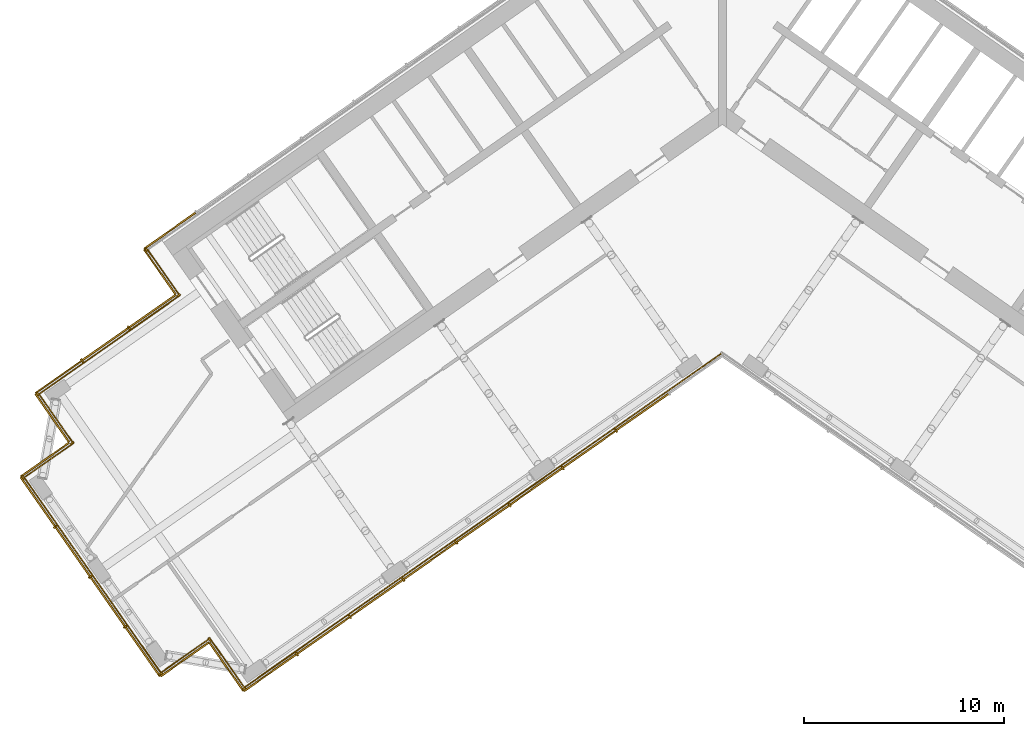
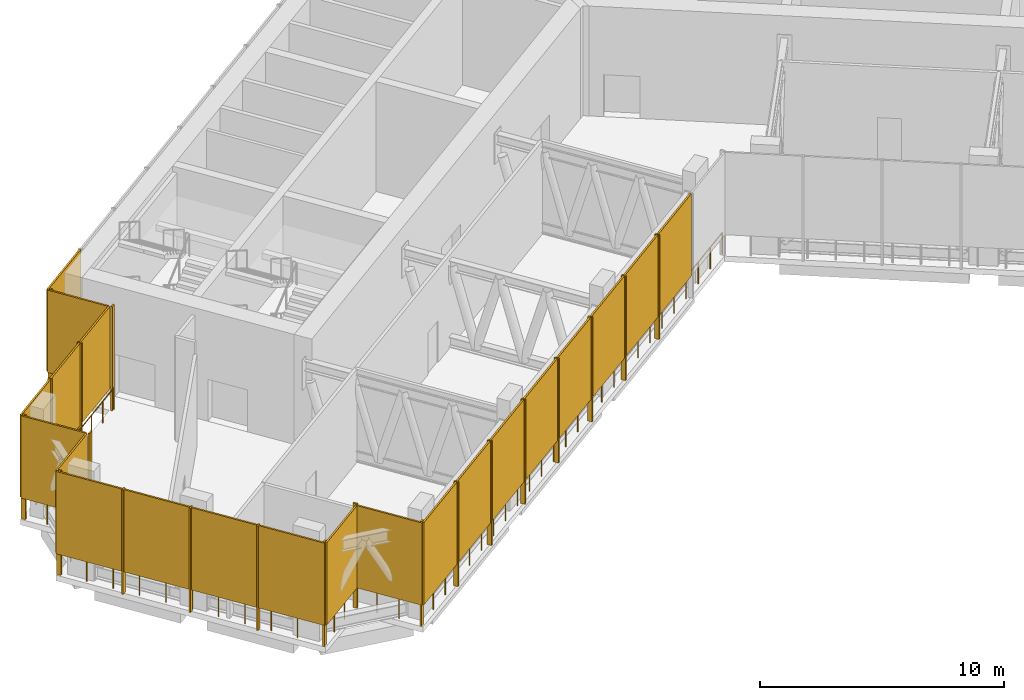
# One storey, part 13 of 19: 41 shading devices, 8 railings.
"""IFC4 building model written with IfcOpenShell, lengths in metres."""

from ifc_helpers import new_model, si_unit, direction, frame, origin, origin_2d, place, context, subcontext, project, spatial, rectangle, circle, extrude, material, layer, layer_set, type_object, element, save


model = new_model("IFC4")

# Units and contexts
model_context = context("Model", 3, precision=1e-05, world=origin(), true_north=direction((0.0, 1.0)))
body_context = subcontext(model_context, "Body", "Model", "MODEL_VIEW")
ifc_project = project(units=[si_unit("LENGTHUNIT", "METRE"), si_unit("AREAUNIT", "SQUARE_METRE"), si_unit("VOLUMEUNIT", "CUBIC_METRE"), si_unit("PLANEANGLEUNIT", "RADIAN"), si_unit("MASSUNIT", "GRAM", prefix="KILO")], contexts=[model_context])

# Site, building, storey
site_placement = place(None, origin())
site = spatial("IfcSite", under=ifc_project, at=site_placement, CompositionType="ELEMENT")
building_placement = place(site_placement, origin())
building = spatial("IfcBuilding", under=site, at=building_placement, Name="Tel Ilan Convention Tower", CompositionType="ELEMENT")
storey_placement = place(building_placement, frame((0.0, 0.0, 213.89990234375)))
storey = spatial("IfcBuildingStorey", under=building, at=storey_placement, Name="L50", CompositionType="ELEMENT", Elevation=213.89990234375)

# Shading devices
ifc_material_1 = material(Name="Perforated aluminium sheet, bronze anodised", Category="aluminium")
ifc_layer_1 = layer(ifc_material_1, 0.080078125)
ifc_layer_set_1 = layer_set([ifc_layer_1], Name="PERFORATED SCREEN 80")
shading_device_type_1 = type_object("IfcShadingDeviceType", Name="PERFORATED SCREEN 80", PredefinedType="USERDEFINED", material=ifc_layer_set_1)
for number, where, z_axis, x_axis, name in (
    (1, (-22.62744140625, -28.662109375, 1.10009765625), (0.0, 0.0, 1.0), (0.819152044289, 0.573576436351, 0.0), "SCREEN"),
    (2, (-19.96533203125, -26.798095703125, 1.10009765625), (0.0, 0.0, 1.0), (0.819152044289, 0.573576436351, 0.0), "SCREEN"),
    (3, (-17.30322265625, -24.93408203125, 1.10009765625), (0.0, 0.0, 1.0), (0.819152044289, 0.573576436351, 0.0), "SCREEN"),
    (4, (-14.641357421875, -23.070068359375, 1.10009765625), (0.0, 0.0, 1.0), (0.819152044289, 0.573576436351, 0.0), "SCREEN"),
    (5, (-11.979248046875, -21.2060546875, 1.10009765625), (0.0, 0.0, 1.0), (0.819152044289, 0.573576436351, 0.0), "SCREEN"),
    (6, (-9.317138671875, -19.342041015625, 1.10009765625), (0.0, 0.0, 1.0), (0.819152044289, 0.573576436351, 0.0), "SCREEN"),
    (7, (-6.655029296875, -17.47802734375, 1.10009765625), (0.0, 0.0, 1.0), (0.819152044289, 0.573576436351, 0.0), "SCREEN"),
    (8, (-3.9931640625, -15.614013671875, 1.10009765625), (0.0, 0.0, 1.0), (0.819152044289, 0.573576436351, 0.0), "SCREEN"),
):
    element("IfcShadingDevice", number, at=place(storey_placement, frame(where, z_axis=z_axis, x_axis=x_axis)), inside=storey, type_object=shading_device_type_1, Name=name, ObjectType="SCREEN", PredefinedType="USERDEFINED", context=body_context, shape_type="SweptSolid", body=[
        extrude(rectangle(XDim=3.189697265625, YDim=0.080078125, at=origin_2d()), origin(), (0.0, 0.0, 1.0), 4.1201171875),
    ])
shading_device_1_placement = place(storey_placement, frame((-27.642578125, -6.537353515625, 1.10009765625), z_axis=(0.0, 0.0, 1.0), x_axis=(-0.819152044289, -0.573576436351, 0.0)))
element("IfcShadingDevice", 9, at=shading_device_1_placement, inside=storey, type_object=shading_device_type_1, Name="SCREEN", ObjectType="SCREEN", PredefinedType="USERDEFINED", context=body_context, shape_type="SweptSolid", body=[
    extrude(rectangle(XDim=3.15380859375, YDim=0.080078125, at=origin_2d()), origin(), (0.0, 0.0, 1.0), 4.1201171875),
])
shading_device_2_placement = place(storey_placement, frame((-28.15576171875, -8.60595703125, 1.10009765625), z_axis=(0.0, 0.0, 1.0), x_axis=(0.573576436351, -0.819152044289, 0.0)))
element("IfcShadingDevice", 10, at=shading_device_2_placement, inside=storey, type_object=shading_device_type_1, Name="SCREEN", ObjectType="SCREEN", PredefinedType="USERDEFINED", context=body_context, shape_type="SweptSolid", body=[
    extrude(rectangle(XDim=2.739990234375, YDim=0.080078125, at=origin_2d()), origin(), (0.0, 0.0, 1.0), 4.1201171875),
])
for number, where, z_axis, x_axis, name in (
    (11, (-28.52685546875, -10.57470703125, 1.10009765625), (0.0, 0.0, 1.0), (-0.819152044289, -0.573576436351, 0.0), "SCREEN"),
    (12, (-30.875244140625, -12.218994140625, 1.10009765625), (0.0, 0.0, 1.0), (-0.819152044289, -0.573576436351, 0.0), "SCREEN"),
    (13, (-33.223388671875, -13.86328125, 1.10009765625), (0.0, 0.0, 1.0), (-0.819152044289, -0.573576436351, 0.0), "SCREEN"),
):
    element("IfcShadingDevice", number, at=place(storey_placement, frame(where, z_axis=z_axis, x_axis=x_axis)), inside=storey, type_object=shading_device_type_1, Name=name, ObjectType="SCREEN", PredefinedType="USERDEFINED", context=body_context, shape_type="SweptSolid", body=[
        extrude(rectangle(XDim=2.806640625, YDim=0.080078125, at=origin_2d()), origin(), (0.0, 0.0, 1.0), 4.1201171875),
    ])
for number, where, z_axis, x_axis, name in (
    (14, (-33.537109375, -15.9140625, 1.10009765625), (0.0, 0.0, 1.0), (0.573576436351, -0.819152044289, 0.0), "SCREEN"),
    (15, (-33.905517578125, -18.003173828125, 1.10009765625), (0.0, 0.0, 1.0), (-0.819152044289, -0.573576436351, 0.0), "SCREEN"),
):
    element("IfcShadingDevice", number, at=place(storey_placement, frame(where, z_axis=z_axis, x_axis=x_axis)), inside=storey, type_object=shading_device_type_1, Name=name, ObjectType="SCREEN", PredefinedType="USERDEFINED", context=body_context, shape_type="SweptSolid", body=[
        extrude(rectangle(XDim=2.93994140625, YDim=0.080078125, at=origin_2d()), origin(), (0.0, 0.0, 1.0), 4.1201171875),
    ])
for number, where, z_axis, x_axis, name in (
    (16, (-34.259521484375, -20.11279296875, 1.10009765625), (0.0, 0.0, 1.0), (0.573576436351, -0.819152044289, 0.0), "SCREEN"),
    (17, (-32.510009765625, -22.611328125, 1.10009765625), (0.0, 0.0, 1.0), (0.573576436351, -0.819152044289, 0.0), "SCREEN"),
    (18, (-30.7607421875, -25.109619140625, 1.10009765625), (0.0, 0.0, 1.0), (0.573576436351, -0.819152044289, 0.0), "SCREEN"),
    (19, (-29.01123046875, -27.608154296875, 1.10009765625), (0.0, 0.0, 1.0), (0.573576436351, -0.819152044289, 0.0), "SCREEN"),
):
    element("IfcShadingDevice", number, at=place(storey_placement, frame(where, z_axis=z_axis, x_axis=x_axis)), inside=storey, type_object=shading_device_type_1, Name=name, ObjectType="SCREEN", PredefinedType="USERDEFINED", context=body_context, shape_type="SweptSolid", body=[
        extrude(rectangle(XDim=2.989990234375, YDim=0.080078125, at=origin_2d()), origin(), (0.0, 0.0, 1.0), 4.1201171875),
    ])
for number, where, z_axis, x_axis, name in (
    (20, (-26.907958984375, -27.996826171875, 1.10009765625), (0.0, 0.0, 1.0), (0.819152044289, 0.573576436351, 0.0), "SCREEN"),
    (21, (-24.81884765625, -28.365234375, 1.10009765625), (0.0, 0.0, 1.0), (0.573576436351, -0.819152044289, 0.0), "SCREEN"),
):
    element("IfcShadingDevice", number, at=place(storey_placement, frame(where, z_axis=z_axis, x_axis=x_axis)), inside=storey, type_object=shading_device_type_1, Name=name, ObjectType="SCREEN", PredefinedType="USERDEFINED", context=body_context, shape_type="SweptSolid", body=[
        extrude(rectangle(XDim=2.93994140625, YDim=0.080078125, at=origin_2d()), origin(), (0.0, 0.0, 1.0), 4.1201171875),
    ])

# Railings
ifc_material_2 = material(Name="Stainless steel S316", Category="steel")
railing_type = type_object("IfcRailingType", Name="REFUGE EDGE GUARD 1100", PredefinedType="GUARDRAIL", material=ifc_material_2)
railing_1_placement = place(storey_placement, frame((-23.924072265625, -29.39892578125, 0.0)))
element("IfcRailing", 22, at=railing_1_placement, inside=storey, type_object=railing_type, Name="Refuge edge guard 39.R01", PredefinedType="GUARDRAIL", context=body_context, shape_type="SweptSolid", body=[
    extrude(circle(Radius=0.02490234375, at=origin_2d()), frame((0.0, 0.0, 1.0751953125), z_axis=(-0.573598887793, 0.819136323161, 0.0), x_axis=(-0.819136323161, -0.573598887793, 0.0)), (0.0, 0.0, 1.0), 2.999755859375),
    extrude(circle(Radius=0.02490234375, at=origin_2d()), origin(), (0.0, 0.0, 1.0), 1.050048828125),
    extrude(circle(Radius=0.02490234375, at=origin_2d()), frame((-0.573486328125, 0.819091796875, 0.0)), (0.0, 0.0, 1.0), 1.050048828125),
    extrude(circle(Radius=0.02490234375, at=origin_2d()), frame((-1.147216796875, 1.63818359375, 0.0)), (0.0, 0.0, 1.0), 1.050048828125),
    extrude(circle(Radius=0.02490234375, at=origin_2d()), frame((-1.720703125, 2.457275390625, 0.0)), (0.0, 0.0, 1.0), 1.050048828125),
])
railing_2_placement = place(storey_placement, frame((-25.644775390625, -26.941650390625, 0.0)))
element("IfcRailing", 23, at=railing_2_placement, inside=storey, type_object=railing_type, Name="Refuge edge guard 39.R02", PredefinedType="GUARDRAIL", context=body_context, shape_type="SweptSolid", body=[
    extrude(circle(Radius=0.02490234375, at=origin_2d()), frame((0.0, 0.0, 1.0751953125), z_axis=(-0.819163097304, -0.573560650686, 0.0), x_axis=(0.573560650686, -0.819163097304, 0.0)), (0.0, 0.0, 1.0), 3.0),
    extrude(circle(Radius=0.02490234375, at=origin_2d()), origin(), (0.0, 0.0, 1.0), 1.050048828125),
    extrude(circle(Radius=0.02490234375, at=origin_2d()), frame((-0.819091796875, -0.573486328125, 0.0)), (0.0, 0.0, 1.0), 1.050048828125),
    extrude(circle(Radius=0.02490234375, at=origin_2d()), frame((-1.638427734375, -1.147216796875, 0.0)), (0.0, 0.0, 1.0), 1.050048828125),
    extrude(circle(Radius=0.02490234375, at=origin_2d()), frame((-2.45751953125, -1.720703125, 0.0)), (0.0, 0.0, 1.0), 1.050048828125),
])
railing_3_placement = place(storey_placement, frame((-28.102294921875, -28.662353515625, 0.0)))
element("IfcRailing", 24, at=railing_3_placement, inside=storey, type_object=railing_type, Name="Refuge edge guard 39.R03", PredefinedType="GUARDRAIL", context=body_context, shape_type="SweptSolid", body=[
    extrude(circle(Radius=0.02490234375, at=origin_2d()), frame((0.0, 0.0, 1.0751953125), z_axis=(-0.573565434892, 0.819159747483, 0.0), x_axis=(-0.819159747483, -0.573565434892, 0.0)), (0.0, 0.0, 1.0), 11.919921875),
    extrude(circle(Radius=0.02490234375, at=origin_2d()), origin(), (0.0, 0.0, 1.0), 1.050048828125),
    extrude(circle(Radius=0.02490234375, at=origin_2d()), frame((-0.68359375, 0.9765625, 0.0)), (0.0, 0.0, 1.0), 1.050048828125),
    extrude(circle(Radius=0.02490234375, at=origin_2d()), frame((-1.367431640625, 1.952880859375, 0.0)), (0.0, 0.0, 1.0), 1.050048828125),
    extrude(circle(Radius=0.02490234375, at=origin_2d()), frame((-2.051025390625, 2.92919921875, 0.0)), (0.0, 0.0, 1.0), 1.050048828125),
    extrude(circle(Radius=0.02490234375, at=origin_2d()), frame((-2.73486328125, 3.90576171875, 0.0)), (0.0, 0.0, 1.0), 1.050048828125),
    extrude(circle(Radius=0.02490234375, at=origin_2d()), frame((-3.41845703125, 4.88232421875, 0.0)), (0.0, 0.0, 1.0), 1.050048828125),
    extrude(circle(Radius=0.02490234375, at=origin_2d()), frame((-4.10205078125, 5.858642578125, 0.0)), (0.0, 0.0, 1.0), 1.050048828125),
    extrude(circle(Radius=0.02490234375, at=origin_2d()), frame((-4.785888671875, 6.8349609375, 0.0)), (0.0, 0.0, 1.0), 1.050048828125),
    extrude(circle(Radius=0.02490234375, at=origin_2d()), frame((-5.469482421875, 7.8115234375, 0.0)), (0.0, 0.0, 1.0), 1.050048828125),
    extrude(circle(Radius=0.02490234375, at=origin_2d()), frame((-6.1533203125, 8.7880859375, 0.0)), (0.0, 0.0, 1.0), 1.050048828125),
    extrude(circle(Radius=0.02490234375, at=origin_2d()), frame((-6.8369140625, 9.764404296875, 0.0)), (0.0, 0.0, 1.0), 1.050048828125),
])
railing_4_placement = place(storey_placement, frame((-34.939208984375, -18.89794921875, 0.0)))
element("IfcRailing", 25, at=railing_4_placement, inside=storey, type_object=railing_type, Name="Refuge edge guard 39.R04", PredefinedType="GUARDRAIL", context=body_context, shape_type="SweptSolid", body=[
    extrude(circle(Radius=0.02490234375, at=origin_2d()), frame((0.0, 0.0, 1.0751953125), z_axis=(0.819163097304, 0.573560650686, 0.0), x_axis=(-0.573560650686, 0.819163097304, 0.0)), (0.0, 0.0, 1.0), 3.0),
    extrude(circle(Radius=0.02490234375, at=origin_2d()), origin(), (0.0, 0.0, 1.0), 1.050048828125),
    extrude(circle(Radius=0.02490234375, at=origin_2d()), frame((0.819091796875, 0.573486328125, 0.0)), (0.0, 0.0, 1.0), 1.050048828125),
    extrude(circle(Radius=0.02490234375, at=origin_2d()), frame((1.638427734375, 1.147216796875, 0.0)), (0.0, 0.0, 1.0), 1.050048828125),
    extrude(circle(Radius=0.02490234375, at=origin_2d()), frame((2.45751953125, 1.720703125, 0.0)), (0.0, 0.0, 1.0), 1.050048828125),
])
railing_5_placement = place(storey_placement, frame((-32.481689453125, -17.17724609375, 0.0)))
element("IfcRailing", 26, at=railing_5_placement, inside=storey, type_object=railing_type, Name="Refuge edge guard 39.R05", PredefinedType="GUARDRAIL", context=body_context, shape_type="SweptSolid", body=[
    extrude(circle(Radius=0.02490234375, at=origin_2d()), frame((0.0, 0.0, 1.0751953125), z_axis=(-0.573560650686, 0.819163097304, 0.0), x_axis=(-0.819163097304, -0.573560650686, 0.0)), (0.0, 0.0, 1.0), 3.0),
    extrude(circle(Radius=0.02490234375, at=origin_2d()), origin(), (0.0, 0.0, 1.0), 1.050048828125),
    extrude(circle(Radius=0.02490234375, at=origin_2d()), frame((-0.573486328125, 0.819091796875, 0.0)), (0.0, 0.0, 1.0), 1.050048828125),
    extrude(circle(Radius=0.02490234375, at=origin_2d()), frame((-1.147216796875, 1.638427734375, 0.0)), (0.0, 0.0, 1.0), 1.050048828125),
    extrude(circle(Radius=0.02490234375, at=origin_2d()), frame((-1.720703125, 2.45751953125, 0.0)), (0.0, 0.0, 1.0), 1.050048828125),
])
railing_6_placement = place(storey_placement, frame((-34.202392578125, -14.7197265625, 0.0)))
element("IfcRailing", 27, at=railing_6_placement, inside=storey, type_object=railing_type, Name="Refuge edge guard 39.R06", PredefinedType="GUARDRAIL", context=body_context, shape_type="SweptSolid", body=[
    extrude(circle(Radius=0.02490234375, at=origin_2d()), frame((0.0, 0.0, 1.0751953125), z_axis=(0.81915856023, 0.573567130511, 0.0), x_axis=(-0.573567130511, 0.81915856023, 0.0)), (0.0, 0.0, 1.0), 8.599853515625),
    extrude(circle(Radius=0.02490234375, at=origin_2d()), origin(), (0.0, 0.0, 1.0), 1.050048828125),
    extrude(circle(Radius=0.02490234375, at=origin_2d()), frame((0.880615234375, 0.61669921875, 0.0)), (0.0, 0.0, 1.0), 1.050048828125),
    extrude(circle(Radius=0.02490234375, at=origin_2d()), frame((1.76123046875, 1.233154296875, 0.0)), (0.0, 0.0, 1.0), 1.050048828125),
    extrude(circle(Radius=0.02490234375, at=origin_2d()), frame((2.641845703125, 1.849609375, 0.0)), (0.0, 0.0, 1.0), 1.050048828125),
    extrude(circle(Radius=0.02490234375, at=origin_2d()), frame((3.5224609375, 2.46630859375, 0.0)), (0.0, 0.0, 1.0), 1.050048828125),
    extrude(circle(Radius=0.02490234375, at=origin_2d()), frame((4.40283203125, 3.0830078125, 0.0)), (0.0, 0.0, 1.0), 1.050048828125),
    extrude(circle(Radius=0.02490234375, at=origin_2d()), frame((5.283447265625, 3.699462890625, 0.0)), (0.0, 0.0, 1.0), 1.050048828125),
    extrude(circle(Radius=0.02490234375, at=origin_2d()), frame((6.1640625, 4.31591796875, 0.0)), (0.0, 0.0, 1.0), 1.050048828125),
    extrude(circle(Radius=0.02490234375, at=origin_2d()), frame((7.044677734375, 4.9326171875, 0.0)), (0.0, 0.0, 1.0), 1.050048828125),
])
railing_7_placement = place(storey_placement, frame((-27.15771484375, -9.787109375, 0.0)))
element("IfcRailing", 28, at=railing_7_placement, inside=storey, type_object=railing_type, Name="Refuge edge guard 39.R07", PredefinedType="GUARDRAIL", context=body_context, shape_type="SweptSolid", body=[
    extrude(circle(Radius=0.02490234375, at=origin_2d()), frame((0.0, 0.0, 1.0751953125), z_axis=(-0.573608623498, 0.819129505664, 0.0), x_axis=(-0.819129505664, -0.573608623498, 0.0)), (0.0, 0.0, 1.0), 2.800048828125),
    extrude(circle(Radius=0.02490234375, at=origin_2d()), origin(), (0.0, 0.0, 1.0), 1.050048828125),
    extrude(circle(Radius=0.02490234375, at=origin_2d()), frame((-0.535400390625, 0.7646484375, 0.0)), (0.0, 0.0, 1.0), 1.050048828125),
    extrude(circle(Radius=0.02490234375, at=origin_2d()), frame((-1.07080078125, 1.529052734375, 0.0)), (0.0, 0.0, 1.0), 1.050048828125),
    extrude(circle(Radius=0.02490234375, at=origin_2d()), frame((-1.606201171875, 2.293701171875, 0.0)), (0.0, 0.0, 1.0), 1.050048828125),
])
railing_8_placement = place(storey_placement, frame((0.0, -12.647216796875, 0.0)))
element("IfcRailing", 29, at=railing_8_placement, inside=storey, type_object=railing_type, Name="Refuge edge guard 39.R18", PredefinedType="GUARDRAIL", context=body_context, shape_type="SweptSolid", body=[
    extrude(circle(Radius=0.02490234375, at=origin_2d()), frame((0.0, 0.0, 1.0751953125), z_axis=(-0.819153761788, -0.5735739835, 0.0), x_axis=(0.5735739835, -0.819153761788, 0.0)), (0.0, 0.0, 1.0), 29.205810546875),
    extrude(circle(Radius=0.02490234375, at=origin_2d()), origin(), (0.0, 0.0, 1.0), 1.050048828125),
    extrude(circle(Radius=0.02490234375, at=origin_2d()), frame((-0.95703125, -0.670166015625, 0.0)), (0.0, 0.0, 1.0), 1.050048828125),
    extrude(circle(Radius=0.02490234375, at=origin_2d()), frame((-1.913818359375, -1.340087890625, 0.0)), (0.0, 0.0, 1.0), 1.050048828125),
    extrude(circle(Radius=0.02490234375, at=origin_2d()), frame((-2.870849609375, -2.01025390625, 0.0)), (0.0, 0.0, 1.0), 1.050048828125),
    extrude(circle(Radius=0.02490234375, at=origin_2d()), frame((-3.827880859375, -2.68017578125, 0.0)), (0.0, 0.0, 1.0), 1.050048828125),
    extrude(circle(Radius=0.02490234375, at=origin_2d()), frame((-4.784912109375, -3.350341796875, 0.0)), (0.0, 0.0, 1.0), 1.050048828125),
    extrude(circle(Radius=0.02490234375, at=origin_2d()), frame((-5.74169921875, -4.0205078125, 0.0)), (0.0, 0.0, 1.0), 1.050048828125),
    extrude(circle(Radius=0.02490234375, at=origin_2d()), frame((-6.69873046875, -4.6904296875, 0.0)), (0.0, 0.0, 1.0), 1.050048828125),
    extrude(circle(Radius=0.02490234375, at=origin_2d()), frame((-7.65576171875, -5.360595703125, 0.0)), (0.0, 0.0, 1.0), 1.050048828125),
    extrude(circle(Radius=0.02490234375, at=origin_2d()), frame((-8.612548828125, -6.030517578125, 0.0)), (0.0, 0.0, 1.0), 1.050048828125),
    extrude(circle(Radius=0.02490234375, at=origin_2d()), frame((-9.569580078125, -6.70068359375, 0.0)), (0.0, 0.0, 1.0), 1.050048828125),
    extrude(circle(Radius=0.02490234375, at=origin_2d()), frame((-10.526611328125, -7.370849609375, 0.0)), (0.0, 0.0, 1.0), 1.050048828125),
    extrude(circle(Radius=0.02490234375, at=origin_2d()), frame((-11.483642578125, -8.040771484375, 0.0)), (0.0, 0.0, 1.0), 1.050048828125),
    extrude(circle(Radius=0.02490234375, at=origin_2d()), frame((-12.4404296875, -8.7109375, 0.0)), (0.0, 0.0, 1.0), 1.050048828125),
    extrude(circle(Radius=0.02490234375, at=origin_2d()), frame((-13.3974609375, -9.380859375, 0.0)), (0.0, 0.0, 1.0), 1.050048828125),
    extrude(circle(Radius=0.02490234375, at=origin_2d()), frame((-14.3544921875, -10.051025390625, 0.0)), (0.0, 0.0, 1.0), 1.050048828125),
    extrude(circle(Radius=0.02490234375, at=origin_2d()), frame((-15.3115234375, -10.72119140625, 0.0)), (0.0, 0.0, 1.0), 1.050048828125),
    extrude(circle(Radius=0.02490234375, at=origin_2d()), frame((-16.268310546875, -11.39111328125, 0.0)), (0.0, 0.0, 1.0), 1.050048828125),
    extrude(circle(Radius=0.02490234375, at=origin_2d()), frame((-17.225341796875, -12.061279296875, 0.0)), (0.0, 0.0, 1.0), 1.050048828125),
    extrude(circle(Radius=0.02490234375, at=origin_2d()), frame((-18.182373046875, -12.731201171875, 0.0)), (0.0, 0.0, 1.0), 1.050048828125),
    extrude(circle(Radius=0.02490234375, at=origin_2d()), frame((-19.13916015625, -13.4013671875, 0.0)), (0.0, 0.0, 1.0), 1.050048828125),
    extrude(circle(Radius=0.02490234375, at=origin_2d()), frame((-20.09619140625, -14.071533203125, 0.0)), (0.0, 0.0, 1.0), 1.050048828125),
    extrude(circle(Radius=0.02490234375, at=origin_2d()), frame((-21.05322265625, -14.741455078125, 0.0)), (0.0, 0.0, 1.0), 1.050048828125),
    extrude(circle(Radius=0.02490234375, at=origin_2d()), frame((-22.01025390625, -15.41162109375, 0.0)), (0.0, 0.0, 1.0), 1.050048828125),
    extrude(circle(Radius=0.02490234375, at=origin_2d()), frame((-22.967041015625, -16.08154296875, 0.0)), (0.0, 0.0, 1.0), 1.050048828125),
    extrude(circle(Radius=0.02490234375, at=origin_2d()), frame((-23.924072265625, -16.751708984375, 0.0)), (0.0, 0.0, 1.0), 1.050048828125),
])

# Shading devices
ifc_material_3 = material(Name="Perforated aluminium sheet, bronze anodised", Category="aluminium")
ifc_layer_2 = layer(ifc_material_3, 0.080078125)
ifc_layer_set_2 = layer_set([ifc_layer_2], Name="SCREEN CORNER CLOSURE 80x200")
shading_device_type_2 = type_object("IfcShadingDeviceType", Name="SCREEN CORNER CLOSURE 80x200", PredefinedType="USERDEFINED", material=ifc_layer_set_2)
for number, where, z_axis, x_axis, name in (
    (30, (-23.933837890625, -29.454833984375, 0.0), (0.0, 0.0, 1.0), (0.573576436351, -0.819152044289, 0.0), "SCREEN"),
    (31, (-28.819580078125, -7.483642578125, 0.0), (0.0, 0.0, 1.0), (-0.819152044289, -0.573576436351, 0.0), "SCREEN"),
    (32, (-27.213623046875, -9.77734375, 0.0), (0.0, 0.0, 1.0), (0.573576436351, -0.819152044289, 0.0), "SCREEN"),
    (33, (-34.25830078125, -14.7099609375, 0.0), (0.0, 0.0, 1.0), (-0.819152044289, -0.573576436351, 0.0), "SCREEN"),
    (34, (-32.53759765625, -17.16748046875, 0.0), (0.0, 0.0, 1.0), (0.573576436351, -0.819152044289, 0.0), "SCREEN"),
    (35, (-34.994873046875, -18.88818359375, 0.0), (0.0, 0.0, 1.0), (-0.819152044289, -0.573576436351, 0.0), "SCREEN"),
    (36, (-28.112060546875, -28.718017578125, 0.0), (0.0, 0.0, 1.0), (0.573576436351, -0.819152044289, 0.0), "SCREEN"),
    (37, (-25.654541015625, -26.997314453125, 0.0), (0.0, 0.0, 1.0), (0.819152044289, 0.573576436351, 0.0), "SCREEN"),
):
    element("IfcShadingDevice", number, at=place(storey_placement, frame(where, z_axis=z_axis, x_axis=x_axis)), inside=storey, type_object=shading_device_type_2, Name=name, ObjectType="SCREEN", PredefinedType="USERDEFINED", context=body_context, shape_type="SweptSolid", body=[
        extrude(rectangle(XDim=0.080078125, YDim=0.199951171875, at=origin_2d()), origin(), (0.0, 0.0, 1.0), 5.219970703125),
    ])
ifc_material_4 = material(Name="Aluminium, bronze anodised", Category="aluminium")
ifc_layer_3 = layer(ifc_material_4, 0.080078125)
ifc_layer_set_3 = layer_set([ifc_layer_3], Name="SCREEN POST 80x200")
shading_device_type_3 = type_object("IfcShadingDeviceType", Name="SCREEN POST 80x200", PredefinedType="USERDEFINED", material=ifc_layer_set_3)
for number, where, z_axis, x_axis, name in (
    (38, (-21.29638671875, -27.72998046875, 0.0), (0.0, 0.0, 1.0), (0.819152044289, 0.573576436351, 0.0), "Screen post"),
    (39, (-18.63427734375, -25.865966796875, 0.0), (0.0, 0.0, 1.0), (0.819152044289, 0.573576436351, 0.0), "Screen post"),
    (40, (-15.97216796875, -24.001953125, 0.0), (0.0, 0.0, 1.0), (0.819152044289, 0.573576436351, 0.0), "Screen post"),
    (41, (-13.310302734375, -22.137939453125, 0.0), (0.0, 0.0, 1.0), (0.819152044289, 0.573576436351, 0.0), "Screen post"),
    (42, (-10.648193359375, -20.274169921875, 0.0), (0.0, 0.0, 1.0), (0.819152044289, 0.573576436351, 0.0), "Screen post"),
    (43, (-7.986083984375, -18.41015625, 0.0), (0.0, 0.0, 1.0), (0.819152044289, 0.573576436351, 0.0), "Screen post"),
    (44, (-5.323974609375, -16.546142578125, 0.0), (0.0, 0.0, 1.0), (0.819152044289, 0.573576436351, 0.0), "Screen post"),
    (45, (-29.700927734375, -11.39697265625, 0.0), (0.0, 0.0, 1.0), (-0.819152044289, -0.573576436351, 0.0), "Screen post"),
    (46, (-32.04931640625, -13.041259765625, 0.0), (0.0, 0.0, 1.0), (-0.819152044289, -0.573576436351, 0.0), "Screen post"),
    (47, (-33.384765625, -21.362060546875, 0.0), (0.0, 0.0, 1.0), (0.573576436351, -0.819152044289, 0.0), "Screen post"),
    (48, (-31.635498046875, -23.8603515625, 0.0), (0.0, 0.0, 1.0), (0.573576436351, -0.819152044289, 0.0), "Screen post"),
    (49, (-29.885986328125, -26.35888671875, 0.0), (0.0, 0.0, 1.0), (0.573576436351, -0.819152044289, 0.0), "Screen post"),
):
    element("IfcShadingDevice", number, at=place(storey_placement, frame(where, z_axis=z_axis, x_axis=x_axis)), inside=storey, type_object=shading_device_type_3, Name=name, ObjectType="SCREEN POST", PredefinedType="USERDEFINED", context=body_context, shape_type="SweptSolid", body=[
        extrude(rectangle(XDim=0.080078125, YDim=0.199951171875, at=origin_2d()), origin(), (0.0, 0.0, 1.0), 5.219970703125),
    ])

save(model, "model.ifc")
